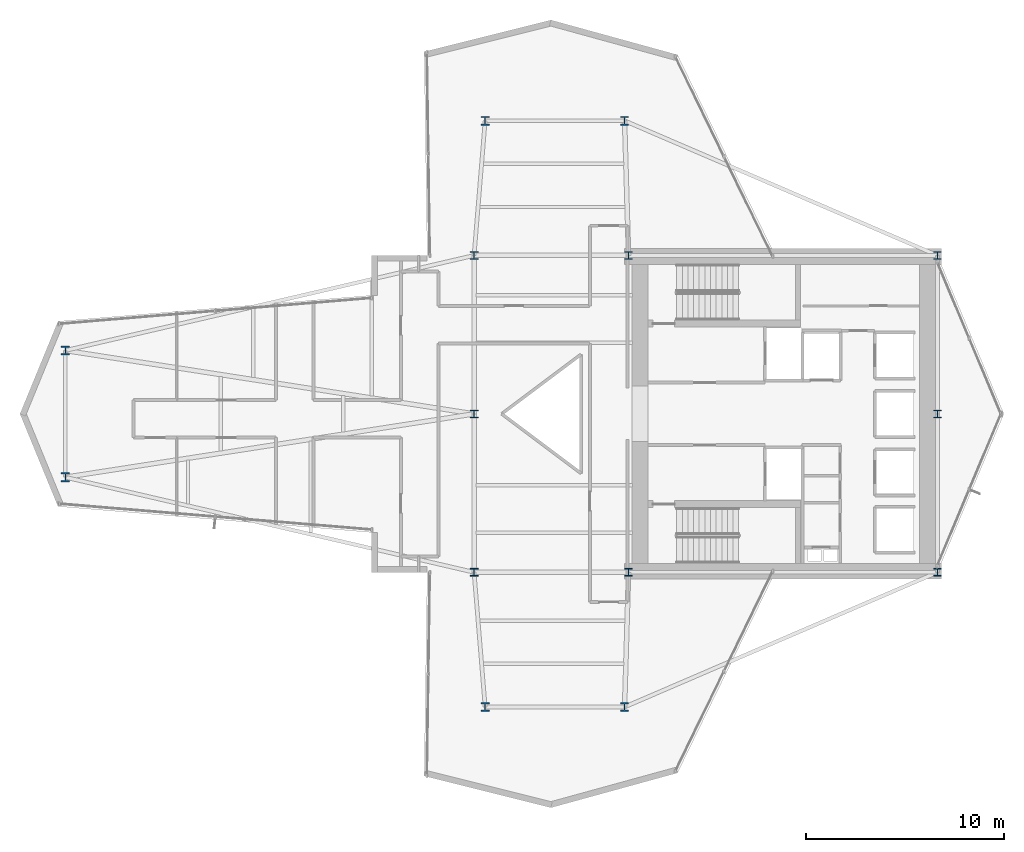
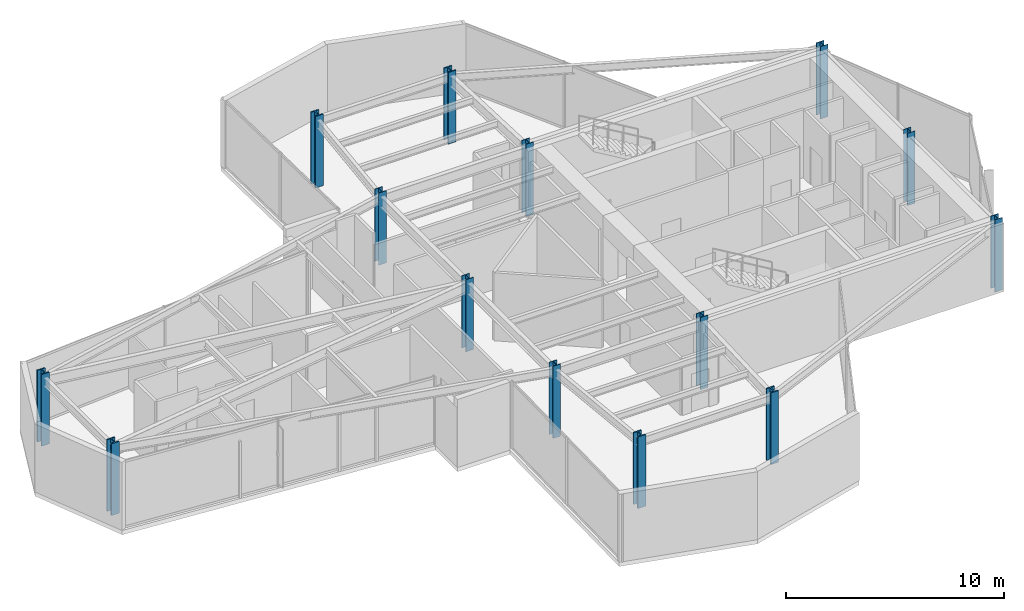
# One storey, part 1 of 25: 14 columns.
"""IFC4 building model written with IfcOpenShell, lengths in metres."""

from ifc_helpers import new_model, si_unit, direction, frame, origin, origin_2d, place, context, subcontext, project, spatial, i_section, extrude, material, material_profile, profile_set, type_object, element, save


model = new_model("IFC4")

# Units and contexts
model_context = context("Model", 3, precision=1e-05, world=origin(), true_north=direction((0.0, 1.0)))
body_context = subcontext(model_context, "Body", "Model", "MODEL_VIEW")
ifc_project = project(units=[si_unit("LENGTHUNIT", "METRE"), si_unit("AREAUNIT", "SQUARE_METRE"), si_unit("VOLUMEUNIT", "CUBIC_METRE"), si_unit("PLANEANGLEUNIT", "RADIAN"), si_unit("MASSUNIT", "GRAM", prefix="KILO")], contexts=[model_context])

# Site, building, storey
site_placement = place(None, origin())
site = spatial("IfcSite", under=ifc_project, at=site_placement, CompositionType="ELEMENT")
building_placement = place(site_placement, origin())
building = spatial("IfcBuilding", under=site, at=building_placement, Name="Veymaron Broadcast Tower", CompositionType="ELEMENT")
storey_placement = place(building_placement, frame((0.0, 0.0, 120.89990234375)))
storey = spatial("IfcBuildingStorey", under=building, at=storey_placement, Name="L27", CompositionType="ELEMENT", Elevation=120.89990234375)

# Columns
ifc_material_1 = material(Name="Structural steel ASTM A992 Gr 50", Category="steel")
ifc_material_profile_1 = material_profile(ifc_material_1, i_section(OverallWidth=0.39794921875, OverallDepth=0.386962890625, WebThickness=0.02099609375, FlangeThickness=0.033203125, at=origin_2d()), Name="W360X262")
ifc_profile_set_1 = profile_set([ifc_material_profile_1], Name="Structural steel ASTM A992 Gr 50")
column_type_1 = type_object("IfcColumnType", Name="COL-HC2", PredefinedType="COLUMN", material=ifc_profile_set_1)
for number, where, z_axis, x_axis, name in (
    (1, (31.199951171875, 16.0, 0.0), (0.0, 0.0, 1.0), (1.0, 0.0, 0.0), "L27 structural hub and core column"),
    (2, (31.199951171875, 24.0, 0.0), (0.0, 0.0, 1.0), (1.0, 0.0, 0.0), "L27 structural hub and core column"),
    (3, (31.199951171875, 32.0, 0.0), (0.0, 0.0, 1.0), (1.0, 0.0, 0.0), "L27 structural hub and core column"),
    (4, (39.0, 16.0, 0.0), (0.0, 0.0, 1.0), (1.0, 0.0, 0.0), "L27 structural hub and core column"),
    (5, (39.0, 32.0, 0.0), (0.0, 0.0, 1.0), (1.0, 0.0, 0.0), "L27 structural hub and core column"),
    (6, (54.60009765625, 16.0, 0.0), (0.0, 0.0, 1.0), (1.0, 0.0, 0.0), "L27 structural hub and core column"),
    (7, (54.60009765625, 24.0, 0.0), (0.0, 0.0, 1.0), (1.0, 0.0, 0.0), "L27 structural hub and core column"),
    (8, (54.60009765625, 32.0, 0.0), (0.0, 0.0, 1.0), (1.0, 0.0, 0.0), "L27 structural hub and core column"),
):
    element("IfcColumn", number, at=place(storey_placement, frame(where, z_axis=z_axis, x_axis=x_axis)), inside=storey, type_object=column_type_1, Name=name, PredefinedType="COLUMN", context=body_context, shape_type="SweptSolid", body=[
        extrude(i_section(OverallWidth=0.39794921875, OverallDepth=0.386962890625, WebThickness=0.02099609375, FlangeThickness=0.033203125, at=origin_2d()), origin(), (0.0, 0.0, 1.0), 4.044189453125),
    ])
ifc_material_2 = material(Name="Structural steel ASTM A913 Gr 65", Category="steel")
ifc_material_profile_2 = material_profile(ifc_material_2, i_section(OverallWidth=0.41796875, OverallDepth=0.455078125, WebThickness=0.0419921875, FlangeThickness=0.067626953125, at=origin_2d()), Name="W360X551")
ifc_profile_set_2 = profile_set([ifc_material_profile_2], Name="Structural steel ASTM A913 Gr 65")
column_type_2 = type_object("IfcColumnType", Name="COL-MC2", PredefinedType="COLUMN", material=ifc_profile_set_2)
for number, where, z_axis, x_axis, name in (
    (9, (10.56005859375, 20.800048828125, 0.01611328125), (0.0, 0.0, 1.0), (1.0, 0.0, 0.0), "L27 Tapered Wing Mega Column"),
    (10, (10.56005859375, 27.199951171875, 0.01611328125), (0.0, 0.0, 1.0), (1.0, 0.0, 0.0), "L27 Tapered Wing Mega Column"),
    (11, (31.760009765625, 38.800048828125, 0.01611328125), (0.0, 0.0, 1.0), (1.0, 0.0, 0.0), "L27 Tapered Wing Mega Column"),
    (12, (38.800048828125, 38.800048828125, 0.01611328125), (0.0, 0.0, 1.0), (1.0, 0.0, 0.0), "L27 Tapered Wing Mega Column"),
    (13, (31.760009765625, 9.199951171875, 0.01611328125), (0.0, 0.0, 1.0), (1.0, 0.0, 0.0), "L27 Tapered Wing Mega Column"),
    (14, (38.800048828125, 9.199951171875, 0.01611328125), (0.0, 0.0, 1.0), (1.0, 0.0, 0.0), "L27 Tapered Wing Mega Column"),
):
    element("IfcColumn", number, at=place(storey_placement, frame(where, z_axis=z_axis, x_axis=x_axis)), inside=storey, type_object=column_type_2, Name=name, PredefinedType="COLUMN", context=body_context, shape_type="SweptSolid", body=[
        extrude(i_section(OverallWidth=0.41796875, OverallDepth=0.455078125, WebThickness=0.0419921875, FlangeThickness=0.067626953125, at=origin_2d()), origin(), (0.0, 0.0, 1.0), 4.01806640625),
    ])

save(model, "model.ifc")
